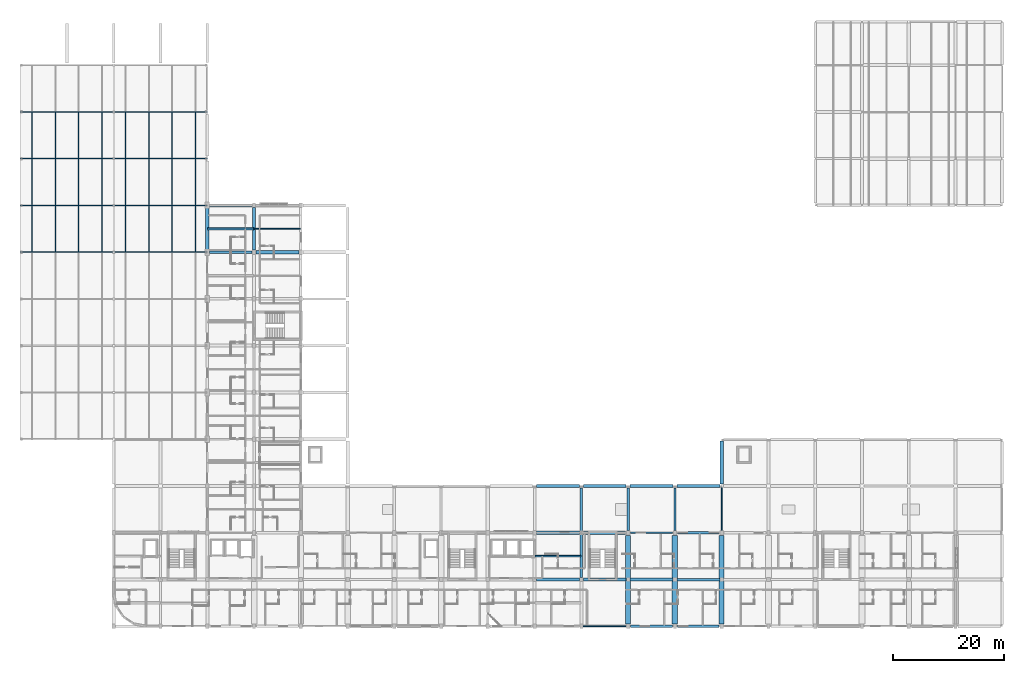
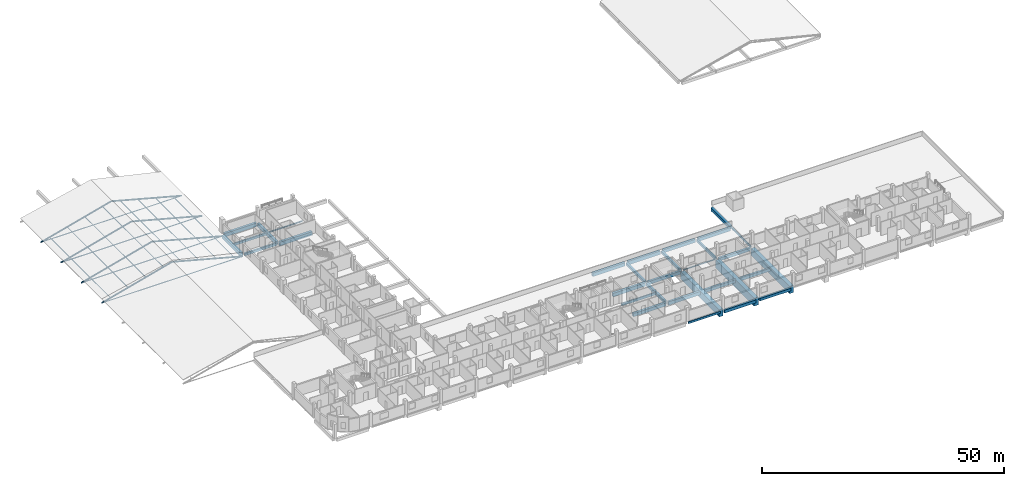
# One storey, part 6 of 42: 36 members, 32 beams.
"""IFC4 building model written with IfcOpenShell, lengths in metres."""

from ifc_helpers import new_model, si_unit, derived_unit, direction, frame, origin, origin_2d, place, context, subcontext, project, spatial, rectangle, hollow_rectangle, hollow_circle, i_section, extrude, material, material_profile, profile_set, type_object, element, save


model = new_model("IFC4")

# Units and contexts
model_context = context("Model", 3, precision=1e-05, world=origin(), true_north=direction((0.0, 1.0)))
body_context = subcontext(model_context, "Body", "Model", "MODEL_VIEW")
ifc_project = project(units=[si_unit("LENGTHUNIT", "METRE"), si_unit("AREAUNIT", "SQUARE_METRE"), si_unit("VOLUMEUNIT", "CUBIC_METRE"), si_unit("PLANEANGLEUNIT", "RADIAN"), si_unit("MASSUNIT", "GRAM", prefix="KILO"), derived_unit("THERMALTRANSMITTANCEUNIT", [(si_unit("POWERUNIT", "WATT"), 1), (si_unit("LENGTHUNIT", "METRE"), -2), (si_unit("THERMODYNAMICTEMPERATUREUNIT", "KELVIN"), -1)])], contexts=[model_context])

# Site, building, storey
site_placement = place(None, origin())
site = spatial("IfcSite", under=ifc_project, at=site_placement, CompositionType="ELEMENT")
building_placement = place(site_placement, origin())
building = spatial("IfcBuilding", under=site, at=building_placement, Name="Barrovel Congress Hotel", CompositionType="ELEMENT")
storey_placement = place(building_placement, frame((0.0, 0.0, 18.300048828125)))
storey = spatial("IfcBuildingStorey", under=building, at=storey_placement, Name="L04", CompositionType="ELEMENT", Elevation=18.300048828125)

# Beams
ifc_material_1 = material(Name="Concrete C40", Category="concrete")
ifc_material_profile_1 = material_profile(ifc_material_1, rectangle(XDim=0.25, YDim=0.5, at=origin_2d()), Name="RC250x500")
ifc_profile_set_1 = profile_set([ifc_material_profile_1], Name="Concrete C40")
beam_type_1 = type_object("IfcBeamType", Name="BM-RC250x500", PredefinedType="SPANDREL", material=ifc_profile_set_1)
for number, where, z_axis, x_axis, name in (
    (1, (101.14990234375, 4.199951171875, -0.550048828125), (1.0, 0.0, 0.0), (0.0, 1.0, 0.0), "BMX:L04:4.2:100.8-109.2"),
    (2, (126.0, 21.449951171875, -0.550048828125), (0.0, 1.0, 0.0), (-1.0, 0.0, 0.0), "BMY:L04:126.0:21.0-29.4"),
):
    element("IfcBeam", number, at=place(storey_placement, frame(where, z_axis=z_axis, x_axis=x_axis)), inside=storey, type_object=beam_type_1, Name=name, PredefinedType="SPANDREL", context=body_context, shape_type="SweptSolid", body=[
        extrude(rectangle(XDim=0.25, YDim=0.5, at=origin_2d()), origin(), (0.0, 0.0, 1.0), 7.60009765625),
    ])
ifc_material_profile_2 = material_profile(ifc_material_1, rectangle(XDim=0.300048828125, YDim=0.60009765625, at=origin_2d()), Name="RC300x600")
ifc_profile_set_2 = profile_set([ifc_material_profile_2], Name="Concrete C40")
beam_type_2 = type_object("IfcBeamType", Name="BM-RC300x600", PredefinedType="JOIST", material=ifc_profile_set_2)
beam_1_placement = place(storey_placement, frame((92.47998046875, 16.800048828125, -0.60009765625), z_axis=(1.0, 0.0, 0.0), x_axis=(0.0, 1.0, 0.0)))
element("IfcBeam", 3, at=beam_1_placement, inside=storey, type_object=beam_type_2, Name="JST:L04:92.4:16.8", PredefinedType="JOIST", context=body_context, shape_type="SweptSolid", body=[
    extrude(rectangle(XDim=0.300048828125, YDim=0.60009765625, at=origin_2d()), origin(), (0.0, 0.0, 1.0), 8.239990234375),
])
ifc_material_profile_3 = material_profile(ifc_material_1, rectangle(XDim=0.35009765625, YDim=0.550048828125, at=origin_2d()), Name="RC350x550")
ifc_profile_set_3 = profile_set([ifc_material_profile_3], Name="Concrete C40")
beam_type_3 = type_object("IfcBeamType", Name="BM-RC350x550", PredefinedType="JOIST", material=ifc_profile_set_3)
beam_2_placement = place(storey_placement, frame((33.679931640625, 75.60009765625, -0.574951171875), z_axis=(1.0, 0.0, 0.0), x_axis=(0.0, 1.0, 0.0)))
element("IfcBeam", 4, at=beam_2_placement, inside=storey, type_object=beam_type_3, Name="JST:L04:33.6:75.6", PredefinedType="JOIST", context=body_context, shape_type="SweptSolid", body=[
    extrude(rectangle(XDim=0.35009765625, YDim=0.550048828125, at=origin_2d()), origin(), (0.0, 0.0, 1.0), 8.239990234375),
])
ifc_material_profile_4 = material_profile(ifc_material_1, rectangle(XDim=0.39990234375, YDim=0.60009765625, at=origin_2d()), Name="RC400x600")
ifc_profile_set_4 = profile_set([ifc_material_profile_4], Name="Concrete C40")
beam_type_4 = type_object("IfcBeamType", Name="BM-RC400x600", PredefinedType="BEAM", material=ifc_profile_set_4)
beam_3_placement = place(storey_placement, frame((34.0, 71.39990234375, -0.60009765625), z_axis=(1.0, 0.0, 0.0), x_axis=(0.0, 1.0, 0.0)))
element("IfcBeam", 5, at=beam_3_placement, inside=storey, type_object=beam_type_4, Name="BMX:L04:71.4:33.6-42.0", PredefinedType="BEAM", context=body_context, shape_type="SweptSolid", body=[
    extrude(rectangle(XDim=0.39990234375, YDim=0.60009765625, at=origin_2d()), origin(), (0.0, 0.0, 1.0), 7.64990234375),
])
beam_4_placement = place(storey_placement, frame((117.60009765625, 21.449951171875, -0.60009765625), z_axis=(0.0, 1.0, 0.0), x_axis=(-1.0, 0.0, 0.0)))
element("IfcBeam", 6, at=beam_4_placement, inside=storey, type_object=beam_type_4, Name="BMY:L04:117.6:21.0-29.4", PredefinedType="BEAM", context=body_context, shape_type="SweptSolid", body=[
    extrude(rectangle(XDim=0.39990234375, YDim=0.60009765625, at=origin_2d()), origin(), (0.0, 0.0, 1.0), 7.60009765625),
])
ifc_material_profile_5 = material_profile(ifc_material_1, rectangle(XDim=0.39990234375, YDim=0.699951171875, at=origin_2d()), Name="RC400x700")
ifc_profile_set_5 = profile_set([ifc_material_profile_5], Name="Concrete C40")
beam_type_5 = type_object("IfcBeamType", Name="BM-RC400x700", PredefinedType="BEAM", material=ifc_profile_set_5)
beam_5_placement = place(storey_placement, frame((109.199951171875, 21.449951171875, -0.650146484375), z_axis=(0.0, 1.0, 0.0), x_axis=(-1.0, 0.0, 0.0)))
element("IfcBeam", 7, at=beam_5_placement, inside=storey, type_object=beam_type_5, Name="BMY:L04:109.2:21.0-29.4", PredefinedType="BEAM", context=body_context, shape_type="SweptSolid", body=[
    extrude(rectangle(XDim=0.39990234375, YDim=0.699951171875, at=origin_2d()), origin(), (0.0, 0.0, 1.0), 7.60009765625),
])
ifc_material_profile_6 = material_profile(ifc_material_1, rectangle(XDim=0.449951171875, YDim=0.64990234375, at=origin_2d()), Name="RC450x650")
ifc_profile_set_6 = profile_set([ifc_material_profile_6], Name="Concrete C40")
beam_type_6 = type_object("IfcBeamType", Name="BM-RC450x650", PredefinedType="BEAM", material=ifc_profile_set_6)
beam_6_placement = place(storey_placement, frame((118.050048828125, 4.199951171875, -0.625), z_axis=(1.0, 0.0, 0.0), x_axis=(0.0, 1.0, 0.0)))
element("IfcBeam", 8, at=beam_6_placement, inside=storey, type_object=beam_type_6, Name="BMX:L04:4.2:117.6-126.0", PredefinedType="BEAM", context=body_context, shape_type="SweptSolid", body=[
    extrude(rectangle(XDim=0.449951171875, YDim=0.64990234375, at=origin_2d()), origin(), (0.0, 0.0, 1.0), 7.5),
])
beam_7_placement = place(storey_placement, frame((100.800048828125, 21.35009765625, -0.625), z_axis=(0.0, 1.0, 0.0), x_axis=(-1.0, 0.0, 0.0)))
element("IfcBeam", 9, at=beam_7_placement, inside=storey, type_object=beam_type_6, Name="BMY:L04:100.8:21.0-29.4", PredefinedType="BEAM", context=body_context, shape_type="SweptSolid", body=[
    extrude(rectangle(XDim=0.449951171875, YDim=0.64990234375, at=origin_2d()), origin(), (0.0, 0.0, 1.0), 7.699951171875),
])
ifc_material_profile_7 = material_profile(ifc_material_1, rectangle(XDim=0.449951171875, YDim=0.75, at=origin_2d()), Name="RC450x750")
ifc_profile_set_7 = profile_set([ifc_material_profile_7], Name="Concrete C40")
beam_type_7 = type_object("IfcBeamType", Name="BM-RC450x750", PredefinedType="BEAM", material=ifc_profile_set_7)
beam_8_placement = place(storey_placement, frame((109.64990234375, 4.199951171875, -0.675048828125), z_axis=(1.0, 0.0, 0.0), x_axis=(0.0, 1.0, 0.0)))
element("IfcBeam", 10, at=beam_8_placement, inside=storey, type_object=beam_type_7, Name="BMX:L04:4.2:109.2-117.6", PredefinedType="BEAM", context=body_context, shape_type="SweptSolid", body=[
    extrude(rectangle(XDim=0.449951171875, YDim=0.75, at=origin_2d()), origin(), (0.0, 0.0, 1.0), 7.5),
])
for number, where, z_axis, x_axis, name in (
    (11, (117.949951171875, 12.60009765625, -0.675048828125), (1.0, 0.0, 0.0), (0.0, 1.0, 0.0), "BMX:L04:12.6:117.6-126.0"),
    (12, (100.800048828125, 12.949951171875, -0.675048828125), (0.0, 1.0, 0.0), (-1.0, 0.0, 0.0), "BMY:L04:100.8:12.6-21.0"),
):
    element("IfcBeam", number, at=place(storey_placement, frame(where, z_axis=z_axis, x_axis=x_axis)), inside=storey, type_object=beam_type_7, Name=name, PredefinedType="BEAM", context=body_context, shape_type="SweptSolid", body=[
        extrude(rectangle(XDim=0.449951171875, YDim=0.75, at=origin_2d()), origin(), (0.0, 0.0, 1.0), 7.699951171875),
    ])
ifc_material_profile_8 = material_profile(ifc_material_1, rectangle(XDim=0.5, YDim=0.75, at=origin_2d()), Name="RC500x750")
ifc_profile_set_8 = profile_set([ifc_material_profile_8], Name="Concrete C40")
beam_type_8 = type_object("IfcBeamType", Name="BM-RC500x750", PredefinedType="BEAM", material=ifc_profile_set_8)
beam_9_placement = place(storey_placement, frame((109.550048828125, 12.60009765625, -0.675048828125), z_axis=(1.0, 0.0, 0.0), x_axis=(0.0, 1.0, 0.0)))
element("IfcBeam", 13, at=beam_9_placement, inside=storey, type_object=beam_type_8, Name="BMX:L04:12.6:109.2-117.6", PredefinedType="BEAM", context=body_context, shape_type="SweptSolid", body=[
    extrude(rectangle(XDim=0.5, YDim=0.75, at=origin_2d()), origin(), (0.0, 0.0, 1.0), 7.699951171875),
])
beam_10_placement = place(storey_placement, frame((118.050048828125, 21.0, -0.675048828125), z_axis=(1.0, 0.0, 0.0), x_axis=(0.0, 1.0, 0.0)))
element("IfcBeam", 14, at=beam_10_placement, inside=storey, type_object=beam_type_8, Name="BMX:L04:21.0:117.6-126.0", PredefinedType="BEAM", context=body_context, shape_type="SweptSolid", body=[
    extrude(rectangle(XDim=0.5, YDim=0.75, at=origin_2d()), origin(), (0.0, 0.0, 1.0), 7.5),
])
ifc_material_profile_9 = material_profile(ifc_material_1, rectangle(XDim=0.5, YDim=0.85009765625, at=origin_2d()), Name="RC500x850")
ifc_profile_set_9 = profile_set([ifc_material_profile_9], Name="Concrete C40")
beam_type_9 = type_object("IfcBeamType", Name="BM-RC500x850", PredefinedType="BEAM", material=ifc_profile_set_9)
beam_11_placement = place(storey_placement, frame((101.14990234375, 12.60009765625, -0.72509765625), z_axis=(1.0, 0.0, 0.0), x_axis=(0.0, 1.0, 0.0)))
element("IfcBeam", 15, at=beam_11_placement, inside=storey, type_object=beam_type_9, Name="BMX:L04:12.6:100.8-109.2", PredefinedType="BEAM", context=body_context, shape_type="SweptSolid", body=[
    extrude(rectangle(XDim=0.5, YDim=0.85009765625, at=origin_2d()), origin(), (0.0, 0.0, 1.0), 7.7001953125),
])
beam_12_placement = place(storey_placement, frame((117.949951171875, 29.39990234375, -0.72509765625), z_axis=(1.0, 0.0, 0.0), x_axis=(0.0, 1.0, 0.0)))
element("IfcBeam", 16, at=beam_12_placement, inside=storey, type_object=beam_type_9, Name="BMX:L04:29.4:117.6-126.0", PredefinedType="BEAM", context=body_context, shape_type="SweptSolid", body=[
    extrude(rectangle(XDim=0.5, YDim=0.85009765625, at=origin_2d()), origin(), (0.0, 0.0, 1.0), 7.699951171875),
])
ifc_material_profile_10 = material_profile(ifc_material_1, rectangle(XDim=0.550048828125, YDim=0.800048828125, at=origin_2d()), Name="RC550x800")
ifc_profile_set_10 = profile_set([ifc_material_profile_10], Name="Concrete C40")
beam_type_10 = type_object("IfcBeamType", Name="BM-RC550x800", PredefinedType="BEAM", material=ifc_profile_set_10)
beam_13_placement = place(storey_placement, frame((92.75, 12.60009765625, -0.699951171875), z_axis=(1.0, 0.0, 0.0), x_axis=(0.0, 1.0, 0.0)))
element("IfcBeam", 17, at=beam_13_placement, inside=storey, type_object=beam_type_10, Name="BMX:L04:12.6:92.4-100.8", PredefinedType="BEAM", context=body_context, shape_type="SweptSolid", body=[
    extrude(rectangle(XDim=0.550048828125, YDim=0.800048828125, at=origin_2d()), origin(), (0.0, 0.0, 1.0), 7.699951171875),
])
beam_14_placement = place(storey_placement, frame((101.14990234375, 21.0, -0.699951171875), z_axis=(1.0, 0.0, 0.0), x_axis=(0.0, 1.0, 0.0)))
element("IfcBeam", 18, at=beam_14_placement, inside=storey, type_object=beam_type_10, Name="BMX:L04:21.0:100.8-109.2", PredefinedType="BEAM", context=body_context, shape_type="SweptSolid", body=[
    extrude(rectangle(XDim=0.550048828125, YDim=0.800048828125, at=origin_2d()), origin(), (0.0, 0.0, 1.0), 7.60009765625),
])
beam_15_placement = place(storey_placement, frame((109.550048828125, 29.39990234375, -0.699951171875), z_axis=(1.0, 0.0, 0.0), x_axis=(0.0, 1.0, 0.0)))
element("IfcBeam", 19, at=beam_15_placement, inside=storey, type_object=beam_type_10, Name="BMX:L04:29.4:109.2-117.6", PredefinedType="BEAM", context=body_context, shape_type="SweptSolid", body=[
    extrude(rectangle(XDim=0.550048828125, YDim=0.800048828125, at=origin_2d()), origin(), (0.0, 0.0, 1.0), 7.699951171875),
])
ifc_material_profile_11 = material_profile(ifc_material_1, rectangle(XDim=0.550048828125, YDim=0.89990234375, at=origin_2d()), Name="RC550x900")
ifc_profile_set_11 = profile_set([ifc_material_profile_11], Name="Concrete C40")
beam_type_11 = type_object("IfcBeamType", Name="BM-RC550x900", PredefinedType="BEAM", material=ifc_profile_set_11)
beam_16_placement = place(storey_placement, frame((92.75, 21.0, -0.75), z_axis=(1.0, 0.0, 0.0), x_axis=(0.0, 1.0, 0.0)))
element("IfcBeam", 20, at=beam_16_placement, inside=storey, type_object=beam_type_11, Name="BMX:L04:21.0:92.4-100.8", PredefinedType="BEAM", context=body_context, shape_type="SweptSolid", body=[
    extrude(rectangle(XDim=0.550048828125, YDim=0.89990234375, at=origin_2d()), origin(), (0.0, 0.0, 1.0), 7.699951171875),
])
beam_17_placement = place(storey_placement, frame((101.14990234375, 29.39990234375, -0.75), z_axis=(1.0, 0.0, 0.0), x_axis=(0.0, 1.0, 0.0)))
element("IfcBeam", 21, at=beam_17_placement, inside=storey, type_object=beam_type_11, Name="BMX:L04:29.4:100.8-109.2", PredefinedType="BEAM", context=body_context, shape_type="SweptSolid", body=[
    extrude(rectangle(XDim=0.550048828125, YDim=0.89990234375, at=origin_2d()), origin(), (0.0, 0.0, 1.0), 7.7001953125),
])
beam_18_placement = place(storey_placement, frame((34.0, 79.800048828125, -0.75), z_axis=(1.0, 0.0, 0.0), x_axis=(0.0, 1.0, 0.0)))
element("IfcBeam", 22, at=beam_18_placement, inside=storey, type_object=beam_type_11, Name="BMX:L04:79.8:33.6-42.0", PredefinedType="BEAM", context=body_context, shape_type="SweptSolid", body=[
    extrude(rectangle(XDim=0.550048828125, YDim=0.89990234375, at=origin_2d()), origin(), (0.0, 0.0, 1.0), 7.64990234375),
])
beam_19_placement = place(storey_placement, frame((42.0, 71.75, -0.75), z_axis=(0.0, 1.0, 0.0), x_axis=(-1.0, 0.0, 0.0)))
element("IfcBeam", 23, at=beam_19_placement, inside=storey, type_object=beam_type_11, Name="BMY:L04:42.0:71.4-79.8", PredefinedType="BEAM", context=body_context, shape_type="SweptSolid", body=[
    extrude(rectangle(XDim=0.550048828125, YDim=0.89990234375, at=origin_2d()), origin(), (0.0, 0.0, 1.0), 7.699951171875),
])
ifc_material_profile_12 = material_profile(ifc_material_1, rectangle(XDim=0.60009765625, YDim=0.85009765625, at=origin_2d()), Name="RC600x850")
ifc_profile_set_12 = profile_set([ifc_material_profile_12], Name="Concrete C40")
beam_type_12 = type_object("IfcBeamType", Name="BM-RC600x850", PredefinedType="BEAM", material=ifc_profile_set_12)
beam_20_placement = place(storey_placement, frame((92.75, 29.39990234375, -0.72509765625), z_axis=(1.0, 0.0, 0.0), x_axis=(0.0, 1.0, 0.0)))
element("IfcBeam", 24, at=beam_20_placement, inside=storey, type_object=beam_type_12, Name="BMX:L04:29.4:92.4-100.8", PredefinedType="BEAM", context=body_context, shape_type="SweptSolid", body=[
    extrude(rectangle(XDim=0.60009765625, YDim=0.85009765625, at=origin_2d()), origin(), (0.0, 0.0, 1.0), 7.699951171875),
])
beam_21_placement = place(storey_placement, frame((33.60009765625, 71.85009765625, -0.72509765625), z_axis=(0.0, 1.0, 0.0), x_axis=(-1.0, 0.0, 0.0)))
element("IfcBeam", 25, at=beam_21_placement, inside=storey, type_object=beam_type_12, Name="BMY:L04:33.6:71.4-79.8", PredefinedType="BEAM", context=body_context, shape_type="SweptSolid", body=[
    extrude(rectangle(XDim=0.60009765625, YDim=0.85009765625, at=origin_2d()), origin(), (0.0, 0.0, 1.0), 7.5),
])
beam_22_placement = place(storey_placement, frame((126.0, 29.75, -0.72509765625), z_axis=(0.0, 1.0, 0.0), x_axis=(-1.0, 0.0, 0.0)))
element("IfcBeam", 26, at=beam_22_placement, inside=storey, type_object=beam_type_12, Name="BMY:L04:126.0:29.4-37.8", PredefinedType="BEAM", context=body_context, shape_type="SweptSolid", body=[
    extrude(rectangle(XDim=0.60009765625, YDim=0.85009765625, at=origin_2d()), origin(), (0.0, 0.0, 1.0), 7.699951171875),
])
ifc_material_profile_13 = material_profile(ifc_material_1, rectangle(XDim=0.60009765625, YDim=0.949951171875, at=origin_2d()), Name="RC600x950")
ifc_profile_set_13 = profile_set([ifc_material_profile_13], Name="Concrete C40")
beam_type_13 = type_object("IfcBeamType", Name="BM-RC600x950", PredefinedType="BEAM", material=ifc_profile_set_13)
beam_23_placement = place(storey_placement, frame((42.35009765625, 71.39990234375, -0.775146484375), z_axis=(1.0, 0.0, 0.0), x_axis=(0.0, 1.0, 0.0)))
element("IfcBeam", 27, at=beam_23_placement, inside=storey, type_object=beam_type_13, Name="BMX:L04:71.4:42.0-50.4", PredefinedType="BEAM", context=body_context, shape_type="SweptSolid", body=[
    extrude(rectangle(XDim=0.60009765625, YDim=0.949951171875, at=origin_2d()), origin(), (0.0, 0.0, 1.0), 7.699951171875),
])

# Members
ifc_material_2 = material(Name="Steel ASTM A500 Grade C", Category="steel")
ifc_material_profile_14 = material_profile(ifc_material_2, hollow_circle(Radius=0.05712890625, WallThickness=0.005615234375, at=origin_2d()), Name="CHS114.3x6.0")
ifc_profile_set_14 = profile_set([ifc_material_profile_14], Name="Steel ASTM A500 Grade C")
member_type_1 = type_object("IfcMemberType", Name="MEM-CHS114.3x6.0", PredefinedType="STRUT", material=ifc_profile_set_14)
for number, where, z_axis, x_axis, name in (
    (28, (0.0, 71.39990234375, -0.949951171875), (1.0, 0.0, 0.0), (0.0, 1.0, 0.0), "V1-RAF-TIE:4"),
    (29, (0.0, 79.800048828125, -0.949951171875), (1.0, 0.0, 0.0), (0.0, 1.0, 0.0), "V1-RAF-TIE:5"),
    (30, (0.0, 88.199951171875, -0.949951171875), (1.0, 0.0, 0.0), (0.0, 1.0, 0.0), "V1-RAF-TIE:6"),
    (31, (0.0, 96.60009765625, -0.949951171875), (1.0, 0.0, 0.0), (0.0, 1.0, 0.0), "V1-RAF-TIE:7"),
):
    element("IfcMember", number, at=place(storey_placement, frame(where, z_axis=z_axis, x_axis=x_axis)), inside=storey, type_object=member_type_1, Name=name, PredefinedType="STRUT", context=body_context, shape_type="SweptSolid", body=[
        extrude(hollow_circle(Radius=0.05712890625, WallThickness=0.005615234375, at=origin_2d()), origin(), (0.0, 0.0, 1.0), 33.60009765625),
    ])
ifc_material_profile_15 = material_profile(ifc_material_2, hollow_rectangle(XDim=0.1015625, YDim=0.203125, WallThickness=0.00732421875, InnerFilletRadius=0.00732421875, OuterFilletRadius=0.014892578125, at=origin_2d()), Name="HSS203x102x7.9")
ifc_profile_set_15 = profile_set([ifc_material_profile_15], Name="Steel ASTM A500 Grade C")
member_type_2 = type_object("IfcMemberType", Name="MEM-HSS203x102x7.9", PredefinedType="PURLIN", material=ifc_profile_set_15)
member_1_placement = place(storey_placement, frame((2.10009765625, 71.39990234375, -0.389404296875), z_axis=(0.0, 1.0, 0.0), x_axis=(-1.0, 0.0, 0.0)))
element("IfcMember", 32, at=member_1_placement, inside=storey, type_object=member_type_2, Name="SF-PUR:0:4", PredefinedType="PURLIN", context=body_context, shape_type="SweptSolid", body=[
    extrude(hollow_rectangle(XDim=0.1015625, YDim=0.203125, WallThickness=0.00732421875, InnerFilletRadius=0.00732421875, OuterFilletRadius=0.014892578125, at=origin_2d()), origin(), (0.0, 0.0, 1.0), 8.400146484375),
])
member_2_placement = place(storey_placement, frame((2.10009765625, 79.800048828125, -0.389404296875), z_axis=(0.0, 1.0, 0.0), x_axis=(-1.0, 0.0, 0.0)))
element("IfcMember", 33, at=member_2_placement, inside=storey, type_object=member_type_2, Name="SF-PUR:0:5", PredefinedType="PURLIN", context=body_context, shape_type="SweptSolid", body=[
    extrude(hollow_rectangle(XDim=0.1015625, YDim=0.203125, WallThickness=0.00732421875, InnerFilletRadius=0.00732421875, OuterFilletRadius=0.014892578125, at=origin_2d()), origin(), (0.0, 0.0, 1.0), 8.39990234375),
])
for number, where, z_axis, x_axis, name in (
    (34, (2.10009765625, 88.199951171875, -0.389404296875), (0.0, 1.0, 0.0), (-1.0, 0.0, 0.0), "SF-PUR:0:6"),
    (35, (6.300048828125, 71.39990234375, 0.7314453125), (0.0, 1.0, 0.0), (-1.0, 0.0, 0.0), "SF-PUR:1:4"),
):
    element("IfcMember", number, at=place(storey_placement, frame(where, z_axis=z_axis, x_axis=x_axis)), inside=storey, type_object=member_type_2, Name=name, PredefinedType="PURLIN", context=body_context, shape_type="SweptSolid", body=[
        extrude(hollow_rectangle(XDim=0.1015625, YDim=0.203125, WallThickness=0.00732421875, InnerFilletRadius=0.00732421875, OuterFilletRadius=0.014892578125, at=origin_2d()), origin(), (0.0, 0.0, 1.0), 8.400146484375),
    ])
member_3_placement = place(storey_placement, frame((6.300048828125, 79.800048828125, 0.7314453125), z_axis=(0.0, 1.0, 0.0), x_axis=(-1.0, 0.0, 0.0)))
element("IfcMember", 36, at=member_3_placement, inside=storey, type_object=member_type_2, Name="SF-PUR:1:5", PredefinedType="PURLIN", context=body_context, shape_type="SweptSolid", body=[
    extrude(hollow_rectangle(XDim=0.1015625, YDim=0.203125, WallThickness=0.00732421875, InnerFilletRadius=0.00732421875, OuterFilletRadius=0.014892578125, at=origin_2d()), origin(), (0.0, 0.0, 1.0), 8.39990234375),
])
for number, where, z_axis, x_axis, name in (
    (37, (6.300048828125, 88.199951171875, 0.7314453125), (0.0, 1.0, 0.0), (-1.0, 0.0, 0.0), "SF-PUR:1:6"),
    (38, (10.5, 71.39990234375, 1.852783203125), (0.0, 1.0, 0.0), (-1.0, 0.0, 0.0), "SF-PUR:2:4"),
):
    element("IfcMember", number, at=place(storey_placement, frame(where, z_axis=z_axis, x_axis=x_axis)), inside=storey, type_object=member_type_2, Name=name, PredefinedType="PURLIN", context=body_context, shape_type="SweptSolid", body=[
        extrude(hollow_rectangle(XDim=0.1015625, YDim=0.203125, WallThickness=0.00732421875, InnerFilletRadius=0.00732421875, OuterFilletRadius=0.014892578125, at=origin_2d()), origin(), (0.0, 0.0, 1.0), 8.400146484375),
    ])
member_4_placement = place(storey_placement, frame((10.5, 79.800048828125, 1.852783203125), z_axis=(0.0, 1.0, 0.0), x_axis=(-1.0, 0.0, 0.0)))
element("IfcMember", 39, at=member_4_placement, inside=storey, type_object=member_type_2, Name="SF-PUR:2:5", PredefinedType="PURLIN", context=body_context, shape_type="SweptSolid", body=[
    extrude(hollow_rectangle(XDim=0.1015625, YDim=0.203125, WallThickness=0.00732421875, InnerFilletRadius=0.00732421875, OuterFilletRadius=0.014892578125, at=origin_2d()), origin(), (0.0, 0.0, 1.0), 8.39990234375),
])
for number, where, z_axis, x_axis, name in (
    (40, (10.5, 88.199951171875, 1.852783203125), (0.0, 1.0, 0.0), (-1.0, 0.0, 0.0), "SF-PUR:2:6"),
    (41, (14.699951171875, 71.39990234375, 2.9736328125), (0.0, 1.0, 0.0), (-1.0, 0.0, 0.0), "SF-PUR:3:4"),
):
    element("IfcMember", number, at=place(storey_placement, frame(where, z_axis=z_axis, x_axis=x_axis)), inside=storey, type_object=member_type_2, Name=name, PredefinedType="PURLIN", context=body_context, shape_type="SweptSolid", body=[
        extrude(hollow_rectangle(XDim=0.1015625, YDim=0.203125, WallThickness=0.00732421875, InnerFilletRadius=0.00732421875, OuterFilletRadius=0.014892578125, at=origin_2d()), origin(), (0.0, 0.0, 1.0), 8.400146484375),
    ])
member_5_placement = place(storey_placement, frame((14.699951171875, 79.800048828125, 2.9736328125), z_axis=(0.0, 1.0, 0.0), x_axis=(-1.0, 0.0, 0.0)))
element("IfcMember", 42, at=member_5_placement, inside=storey, type_object=member_type_2, Name="SF-PUR:3:5", PredefinedType="PURLIN", context=body_context, shape_type="SweptSolid", body=[
    extrude(hollow_rectangle(XDim=0.1015625, YDim=0.203125, WallThickness=0.00732421875, InnerFilletRadius=0.00732421875, OuterFilletRadius=0.014892578125, at=origin_2d()), origin(), (0.0, 0.0, 1.0), 8.39990234375),
])
for number, where, z_axis, x_axis, name in (
    (43, (14.699951171875, 88.199951171875, 2.9736328125), (0.0, 1.0, 0.0), (-1.0, 0.0, 0.0), "SF-PUR:3:6"),
    (44, (18.89990234375, 71.39990234375, 2.9736328125), (0.0, 1.0, 0.0), (-1.0, 0.0, 0.0), "SF-PUR:4:4"),
):
    element("IfcMember", number, at=place(storey_placement, frame(where, z_axis=z_axis, x_axis=x_axis)), inside=storey, type_object=member_type_2, Name=name, PredefinedType="PURLIN", context=body_context, shape_type="SweptSolid", body=[
        extrude(hollow_rectangle(XDim=0.1015625, YDim=0.203125, WallThickness=0.00732421875, InnerFilletRadius=0.00732421875, OuterFilletRadius=0.014892578125, at=origin_2d()), origin(), (0.0, 0.0, 1.0), 8.400146484375),
    ])
member_6_placement = place(storey_placement, frame((18.89990234375, 79.800048828125, 2.9736328125), z_axis=(0.0, 1.0, 0.0), x_axis=(-1.0, 0.0, 0.0)))
element("IfcMember", 45, at=member_6_placement, inside=storey, type_object=member_type_2, Name="SF-PUR:4:5", PredefinedType="PURLIN", context=body_context, shape_type="SweptSolid", body=[
    extrude(hollow_rectangle(XDim=0.1015625, YDim=0.203125, WallThickness=0.00732421875, InnerFilletRadius=0.00732421875, OuterFilletRadius=0.014892578125, at=origin_2d()), origin(), (0.0, 0.0, 1.0), 8.39990234375),
])
for number, where, z_axis, x_axis, name in (
    (46, (18.89990234375, 88.199951171875, 2.9736328125), (0.0, 1.0, 0.0), (-1.0, 0.0, 0.0), "SF-PUR:4:6"),
    (47, (23.10009765625, 71.39990234375, 1.852783203125), (0.0, 1.0, 0.0), (-1.0, 0.0, 0.0), "SF-PUR:5:4"),
):
    element("IfcMember", number, at=place(storey_placement, frame(where, z_axis=z_axis, x_axis=x_axis)), inside=storey, type_object=member_type_2, Name=name, PredefinedType="PURLIN", context=body_context, shape_type="SweptSolid", body=[
        extrude(hollow_rectangle(XDim=0.1015625, YDim=0.203125, WallThickness=0.00732421875, InnerFilletRadius=0.00732421875, OuterFilletRadius=0.014892578125, at=origin_2d()), origin(), (0.0, 0.0, 1.0), 8.400146484375),
    ])
member_7_placement = place(storey_placement, frame((23.10009765625, 79.800048828125, 1.852783203125), z_axis=(0.0, 1.0, 0.0), x_axis=(-1.0, 0.0, 0.0)))
element("IfcMember", 48, at=member_7_placement, inside=storey, type_object=member_type_2, Name="SF-PUR:5:5", PredefinedType="PURLIN", context=body_context, shape_type="SweptSolid", body=[
    extrude(hollow_rectangle(XDim=0.1015625, YDim=0.203125, WallThickness=0.00732421875, InnerFilletRadius=0.00732421875, OuterFilletRadius=0.014892578125, at=origin_2d()), origin(), (0.0, 0.0, 1.0), 8.39990234375),
])
for number, where, z_axis, x_axis, name in (
    (49, (23.10009765625, 88.199951171875, 1.852783203125), (0.0, 1.0, 0.0), (-1.0, 0.0, 0.0), "SF-PUR:5:6"),
    (50, (27.300048828125, 71.39990234375, 0.7314453125), (0.0, 1.0, 0.0), (-1.0, 0.0, 0.0), "SF-PUR:6:4"),
):
    element("IfcMember", number, at=place(storey_placement, frame(where, z_axis=z_axis, x_axis=x_axis)), inside=storey, type_object=member_type_2, Name=name, PredefinedType="PURLIN", context=body_context, shape_type="SweptSolid", body=[
        extrude(hollow_rectangle(XDim=0.1015625, YDim=0.203125, WallThickness=0.00732421875, InnerFilletRadius=0.00732421875, OuterFilletRadius=0.014892578125, at=origin_2d()), origin(), (0.0, 0.0, 1.0), 8.400146484375),
    ])
member_8_placement = place(storey_placement, frame((27.300048828125, 79.800048828125, 0.7314453125), z_axis=(0.0, 1.0, 0.0), x_axis=(-1.0, 0.0, 0.0)))
element("IfcMember", 51, at=member_8_placement, inside=storey, type_object=member_type_2, Name="SF-PUR:6:5", PredefinedType="PURLIN", context=body_context, shape_type="SweptSolid", body=[
    extrude(hollow_rectangle(XDim=0.1015625, YDim=0.203125, WallThickness=0.00732421875, InnerFilletRadius=0.00732421875, OuterFilletRadius=0.014892578125, at=origin_2d()), origin(), (0.0, 0.0, 1.0), 8.39990234375),
])
for number, where, z_axis, x_axis, name in (
    (52, (27.300048828125, 88.199951171875, 0.7314453125), (0.0, 1.0, 0.0), (-1.0, 0.0, 0.0), "SF-PUR:6:6"),
    (53, (31.5, 71.39990234375, -0.389404296875), (0.0, 1.0, 0.0), (-1.0, 0.0, 0.0), "SF-PUR:7:4"),
):
    element("IfcMember", number, at=place(storey_placement, frame(where, z_axis=z_axis, x_axis=x_axis)), inside=storey, type_object=member_type_2, Name=name, PredefinedType="PURLIN", context=body_context, shape_type="SweptSolid", body=[
        extrude(hollow_rectangle(XDim=0.1015625, YDim=0.203125, WallThickness=0.00732421875, InnerFilletRadius=0.00732421875, OuterFilletRadius=0.014892578125, at=origin_2d()), origin(), (0.0, 0.0, 1.0), 8.400146484375),
    ])
member_9_placement = place(storey_placement, frame((31.5, 79.800048828125, -0.389404296875), z_axis=(0.0, 1.0, 0.0), x_axis=(-1.0, 0.0, 0.0)))
element("IfcMember", 54, at=member_9_placement, inside=storey, type_object=member_type_2, Name="SF-PUR:7:5", PredefinedType="PURLIN", context=body_context, shape_type="SweptSolid", body=[
    extrude(hollow_rectangle(XDim=0.1015625, YDim=0.203125, WallThickness=0.00732421875, InnerFilletRadius=0.00732421875, OuterFilletRadius=0.014892578125, at=origin_2d()), origin(), (0.0, 0.0, 1.0), 8.39990234375),
])
member_10_placement = place(storey_placement, frame((31.5, 88.199951171875, -0.389404296875), z_axis=(0.0, 1.0, 0.0), x_axis=(-1.0, 0.0, 0.0)))
element("IfcMember", 55, at=member_10_placement, inside=storey, type_object=member_type_2, Name="SF-PUR:7:6", PredefinedType="PURLIN", context=body_context, shape_type="SweptSolid", body=[
    extrude(hollow_rectangle(XDim=0.1015625, YDim=0.203125, WallThickness=0.00732421875, InnerFilletRadius=0.00732421875, OuterFilletRadius=0.014892578125, at=origin_2d()), origin(), (0.0, 0.0, 1.0), 8.400146484375),
])
ifc_material_3 = material(Name="Steel ASTM A992 Grade 50", Category="steel")
ifc_material_profile_16 = material_profile(ifc_material_3, i_section(OverallWidth=0.205078125, OverallDepth=0.31005859375, WebThickness=0.009521484375, FlangeThickness=0.016357421875, FilletRadius=0.012939453125, at=origin_2d()), Name="W310x74")
ifc_profile_set_16 = profile_set([ifc_material_profile_16], Name="Steel ASTM A992 Grade 50")
member_type_3 = type_object("IfcMemberType", Name="MEM-W310x74", PredefinedType="RAFTER", material=ifc_profile_set_16)
for number, where, z_axis, x_axis, name in (
    (56, (0.0, 71.39990234375, -0.949951171875), (0.966172456981, 0.0, 0.257896846378), (0.0, 1.0, 0.0), "V1-RAF-W:4"),
    (57, (16.800048828125, 71.39990234375, 3.534423828125), (0.966172456981, 0.0, -0.257896846378), (0.0, 1.0, 0.0), "V1-RAF-E:4"),
    (58, (0.0, 79.800048828125, -0.949951171875), (0.966172456981, 0.0, 0.257896846378), (0.0, 1.0, 0.0), "V1-RAF-W:5"),
    (59, (16.800048828125, 79.800048828125, 3.534423828125), (0.966172456981, 0.0, -0.257896846378), (0.0, 1.0, 0.0), "V1-RAF-E:5"),
    (60, (0.0, 88.199951171875, -0.949951171875), (0.966172456981, 0.0, 0.257896846378), (0.0, 1.0, 0.0), "V1-RAF-W:6"),
    (61, (16.800048828125, 88.199951171875, 3.534423828125), (0.966172456981, 0.0, -0.257896846378), (0.0, 1.0, 0.0), "V1-RAF-E:6"),
    (62, (0.0, 96.60009765625, -0.949951171875), (0.966172456981, 0.0, 0.257896846378), (0.0, 1.0, 0.0), "V1-RAF-W:7"),
    (63, (16.800048828125, 96.60009765625, 3.534423828125), (0.966172456981, 0.0, -0.257896846378), (0.0, 1.0, 0.0), "V1-RAF-E:7"),
):
    element("IfcMember", number, at=place(storey_placement, frame(where, z_axis=z_axis, x_axis=x_axis)), inside=storey, type_object=member_type_3, Name=name, PredefinedType="RAFTER", context=body_context, shape_type="SweptSolid", body=[
        extrude(i_section(OverallWidth=0.205078125, OverallDepth=0.31005859375, WebThickness=0.009521484375, FlangeThickness=0.016357421875, FilletRadius=0.012939453125, at=origin_2d()), origin(), (0.0, 0.0, 1.0), 17.38818359375),
    ])

# Beams
ifc_material_profile_17 = material_profile(ifc_material_2, hollow_rectangle(XDim=0.15234375, YDim=0.25390625, WallThickness=0.0087890625, InnerFilletRadius=0.0087890625, OuterFilletRadius=0.017578125, at=origin_2d()), Name="HSS254x152x9.5")
ifc_profile_set_17 = profile_set([ifc_material_profile_17], Name="Steel ASTM A500 Grade C")
beam_type_14 = type_object("IfcBeamType", Name="SBM-HSS254x152x9.5", PredefinedType="SPANDREL", material=ifc_profile_set_17)
beam_24_placement = place(storey_placement, frame((109.64990234375, 21.0, -0.427001953125), z_axis=(1.0, 0.0, 0.0), x_axis=(0.0, 1.0, 0.0)))
element("IfcBeam", 64, at=beam_24_placement, inside=storey, type_object=beam_type_14, Name="BMX:L04:21.0:109.2-117.6", PredefinedType="SPANDREL", context=body_context, shape_type="SweptSolid", body=[
    extrude(hollow_rectangle(XDim=0.15234375, YDim=0.25390625, WallThickness=0.0087890625, InnerFilletRadius=0.0087890625, OuterFilletRadius=0.017578125, at=origin_2d()), origin(), (0.0, 0.0, 1.0), 7.5),
])
ifc_material_profile_18 = material_profile(ifc_material_3, i_section(OverallWidth=0.1669921875, OverallDepth=0.31689453125, WebThickness=0.007568359375, FlangeThickness=0.01318359375, FilletRadius=0.010986328125, at=origin_2d()), Name="W310x52")
ifc_profile_set_18 = profile_set([ifc_material_profile_18], Name="Steel ASTM A992 Grade 50")
beam_type_15 = type_object("IfcBeamType", Name="SBM-W310x52", PredefinedType="JOIST", material=ifc_profile_set_18)
beam_25_placement = place(storey_placement, frame((42.080078125, 75.60009765625, -0.45849609375), z_axis=(1.0, 0.0, 0.0), x_axis=(0.0, 1.0, 0.0)))
element("IfcBeam", 65, at=beam_25_placement, inside=storey, type_object=beam_type_15, Name="JST:L04:42.0:75.6", PredefinedType="JOIST", context=body_context, shape_type="SweptSolid", body=[
    extrude(i_section(OverallWidth=0.1669921875, OverallDepth=0.31689453125, WebThickness=0.007568359375, FlangeThickness=0.01318359375, FilletRadius=0.010986328125, at=origin_2d()), origin(), (0.0, 0.0, 1.0), 8.239990234375),
])
ifc_material_4 = material(Name="Concrete C50", Category="concrete")
ifc_material_profile_19 = material_profile(ifc_material_4, rectangle(XDim=1.0, YDim=2.0, at=origin_2d()), Name="RC1000x2000")
ifc_profile_set_19 = profile_set([ifc_material_profile_19], Name="Concrete C50")
beam_type_16 = type_object("IfcBeamType", Name="TG-RC1000x2000", PredefinedType="BEAM", material=ifc_profile_set_19)
beam_26_placement = place(storey_placement, frame((117.60009765625, 4.64990234375, -1.300048828125), z_axis=(0.0, 1.0, 0.0), x_axis=(-1.0, 0.0, 0.0)))
element("IfcBeam", 66, at=beam_26_placement, inside=storey, type_object=beam_type_16, Name="Transfer Girder TG-RC1000x2000 at Grid 117.6", PredefinedType="BEAM", context=body_context, shape_type="SweptSolid", body=[
    extrude(rectangle(XDim=1.0, YDim=2.0, at=origin_2d()), origin(), (0.0, 0.0, 1.0), 15.900146484375),
])
ifc_material_profile_20 = material_profile(ifc_material_4, rectangle(XDim=0.89990234375, YDim=1.800048828125, at=origin_2d()), Name="RC900x1800")
ifc_profile_set_20 = profile_set([ifc_material_profile_20], Name="Concrete C50")
beam_type_17 = type_object("IfcBeamType", Name="TG-RC900x1800", PredefinedType="BEAM", material=ifc_profile_set_20)
for number, where, z_axis, x_axis, name in (
    (67, (109.199951171875, 4.64990234375, -1.199951171875), (0.0, 1.0, 0.0), (-1.0, 0.0, 0.0), "Transfer Girder TG-RC900x1800 at Grid 109.2"),
    (68, (126.0, 4.64990234375, -1.199951171875), (0.0, 1.0, 0.0), (-1.0, 0.0, 0.0), "Transfer Girder TG-RC900x1800 at Grid 126.0"),
):
    element("IfcBeam", number, at=place(storey_placement, frame(where, z_axis=z_axis, x_axis=x_axis)), inside=storey, type_object=beam_type_17, Name=name, PredefinedType="BEAM", context=body_context, shape_type="SweptSolid", body=[
        extrude(rectangle(XDim=0.89990234375, YDim=1.800048828125, at=origin_2d()), origin(), (0.0, 0.0, 1.0), 15.900146484375),
    ])

save(model, "model.ifc")
